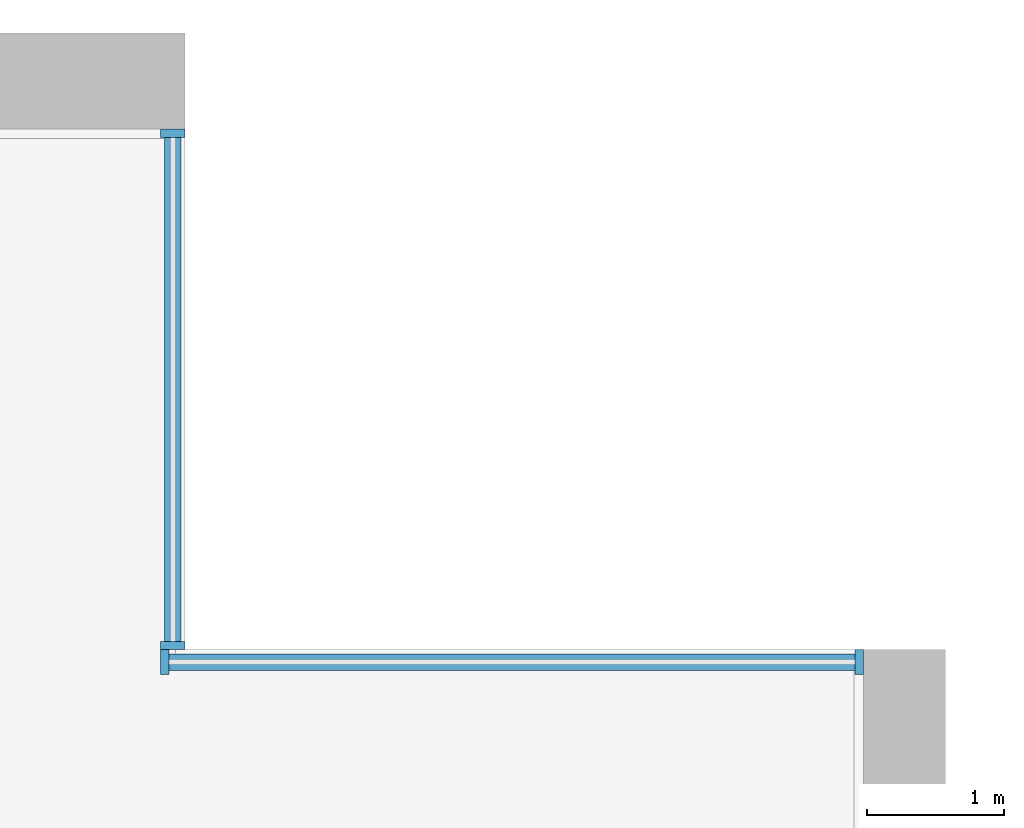
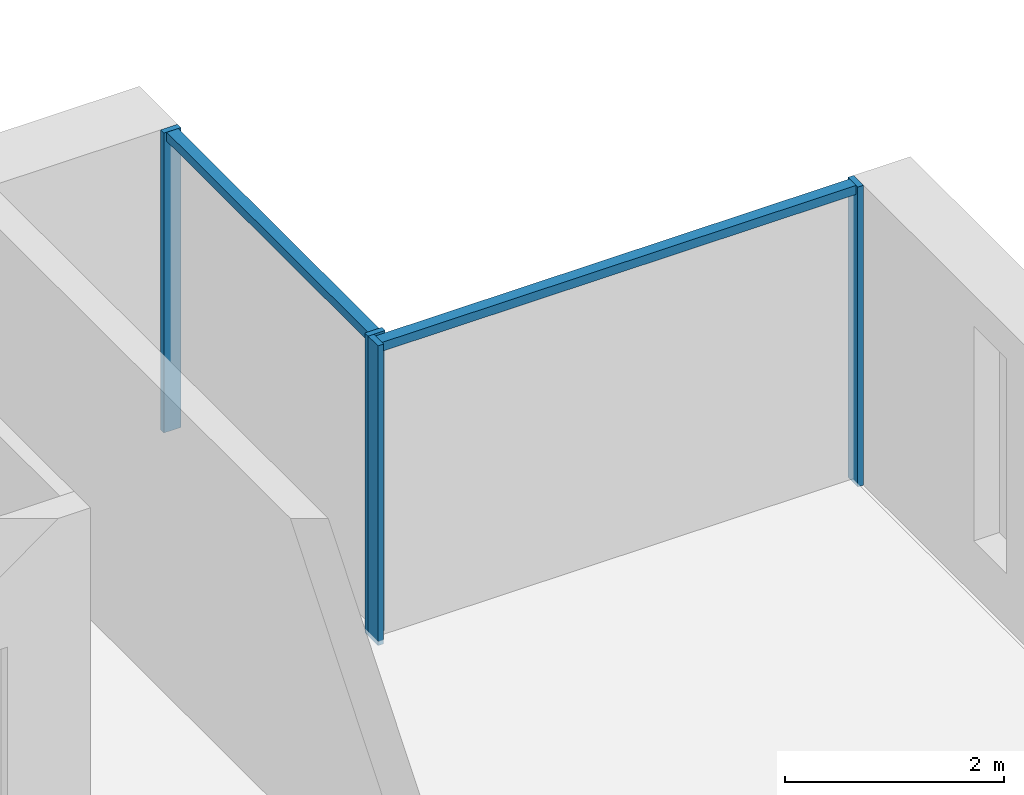
# One storey, part 6 of 19: 6 members, 2 elements without a shape of their own.
"""IFC4 building model written with IfcOpenShell, lengths in metres."""

from ifc_helpers import new_model, si_unit, direction, frame, origin, origin_2d, place, context, subcontext, project, spatial, rectangle, extrude, material, material_profile, profile_set, type_object, element, aggregate, save


model = new_model("IFC4")

# Units and contexts
model_context = context("Model", 3, precision=1e-05, world=origin(), true_north=direction((0.0, 1.0)))
body_context = subcontext(model_context, "Body", "Model", "MODEL_VIEW")
ifc_project = project(units=[si_unit("LENGTHUNIT", "METRE"), si_unit("AREAUNIT", "SQUARE_METRE"), si_unit("VOLUMEUNIT", "CUBIC_METRE"), si_unit("PLANEANGLEUNIT", "RADIAN"), si_unit("MASSUNIT", "GRAM", prefix="KILO")], contexts=[model_context])

# Site, building, storey
site_placement = place(None, origin())
site = spatial("IfcSite", under=ifc_project, at=site_placement, CompositionType="ELEMENT")
building_placement = place(site_placement, origin())
building = spatial("IfcBuilding", under=site, at=building_placement, Name="Calvaro Tower", CompositionType="ELEMENT")
storey_placement = place(building_placement, frame((0.0, 0.0, 166.75)))
storey = spatial("IfcBuildingStorey", under=building, at=storey_placement, Name="L41", CompositionType="ELEMENT", Elevation=166.75)

# Curtain wall, members
ifc_material_1 = material(Name="Anodised aluminium", Category="aluminium")
curtain_wall_type = type_object("IfcCurtainWallType", Name="Office curtain wall, upper zone", PredefinedType="NOTDEFINED", material=ifc_material_1)
curtain_wall_1_placement = place(storey_placement, origin())
curtain_wall_1 = element("IfcCurtainWall", 1, at=curtain_wall_1_placement, inside=storey, type_object=curtain_wall_type, Name="CW3 corner curtain wall", PredefinedType="NOTDEFINED")
ifc_material_2 = material(Name="Anodised aluminium", Category="aluminium")
ifc_material_profile_1 = material_profile(ifc_material_2, rectangle(XDim=0.179931640625, YDim=0.06005859375, at=origin_2d()), Name="Mullion S3 60 x 180")
ifc_profile_set_1 = profile_set([ifc_material_profile_1], Name="Anodised aluminium")
member_type_1 = type_object("IfcMemberType", Name="Mullion S3 60 x 180", PredefinedType="MULLION", material=ifc_profile_set_1)
member_1_placement = place(storey_placement, frame((66.360107421875, 41.530029296875, 0.0), z_axis=(0.0, 0.0, 1.0), x_axis=(-1.0, 0.0, 0.0)))
member_1 = element("IfcMember", 2, at=member_1_placement, type_object=member_type_1, Name="CW3 mullion 1", PredefinedType="MULLION", context=body_context, shape_type="SweptSolid", body=[
    extrude(rectangle(XDim=0.179931640625, YDim=0.06005859375, at=origin_2d()), origin(), (0.0, 0.0, 1.0), 3.35009765625),
])
member_2_placement = place(storey_placement, frame((66.360107421875, 45.27001953125, 0.0), z_axis=(0.0, 0.0, 1.0), x_axis=(-1.0, 0.0, 0.0)))
member_2 = element("IfcMember", 3, at=member_2_placement, type_object=member_type_1, Name="CW3 mullion 2", PredefinedType="MULLION", context=body_context, shape_type="SweptSolid", body=[
    extrude(rectangle(XDim=0.179931640625, YDim=0.06005859375, at=origin_2d()), origin(), (0.0, 0.0, 1.0), 3.35009765625),
])

curtain_wall_2_placement = place(storey_placement, origin())
curtain_wall_2 = element("IfcCurtainWall", 4, at=curtain_wall_2_placement, inside=storey, type_object=curtain_wall_type, Name="CW3 corner curtain wall", PredefinedType="NOTDEFINED")
member_3_placement = place(storey_placement, frame((66.300048828125, 41.409912109375, 0.0), z_axis=(0.0, 0.0, 1.0), x_axis=(0.0, 1.0, 0.0)))
member_3 = element("IfcMember", 5, at=member_3_placement, type_object=member_type_1, Name="CW3 mullion 1", PredefinedType="MULLION", context=body_context, shape_type="SweptSolid", body=[
    extrude(rectangle(XDim=0.179931640625, YDim=0.06005859375, at=origin_2d()), origin(), (0.0, 0.0, 1.0), 3.35009765625),
])
member_4_placement = place(storey_placement, frame((71.3701171875, 41.409912109375, 0.0), z_axis=(0.0, 0.0, 1.0), x_axis=(0.0, 1.0, 0.0)))
member_4 = element("IfcMember", 6, at=member_4_placement, type_object=member_type_1, Name="CW3 mullion 2", PredefinedType="MULLION", context=body_context, shape_type="SweptSolid", body=[
    extrude(rectangle(XDim=0.179931640625, YDim=0.06005859375, at=origin_2d()), origin(), (0.0, 0.0, 1.0), 3.35009765625),
])

# Member
ifc_material_3 = material(Name="Anodised aluminium", Category="aluminium")
ifc_material_profile_2 = material_profile(ifc_material_3, rectangle(XDim=0.1201171875, YDim=0.10009765625, at=origin_2d()), Name="Transom S3 100 x 120")
ifc_profile_set_2 = profile_set([ifc_material_profile_2], Name="Anodised aluminium")
member_type_2 = type_object("IfcMemberType", Name="Transom S3 100 x 120", PredefinedType="USERDEFINED", material=ifc_profile_set_2)
member_5_placement = place(storey_placement, frame((66.360107421875, 41.56005859375, 3.300048828125), z_axis=(0.0, 1.0, 0.0), x_axis=(-1.0, 0.0, 0.0)))
member_5 = element("IfcMember", 7, at=member_5_placement, type_object=member_type_2, Name="CW3 transom 1.1", ObjectType="TRANSOM", PredefinedType="USERDEFINED", context=body_context, shape_type="SweptSolid", body=[
    extrude(rectangle(XDim=0.1201171875, YDim=0.10009765625, at=origin_2d()), origin(), (0.0, 0.0, 1.0), 3.679931640625),
])

aggregate(curtain_wall_1, [member_1, member_2, member_5])

member_6_placement = place(storey_placement, frame((66.330078125, 41.409912109375, 3.300048828125), z_axis=(1.0, 0.0, 0.0), x_axis=(0.0, 1.0, 0.0)))
member_6 = element("IfcMember", 8, at=member_6_placement, type_object=member_type_2, Name="CW3 transom 1.1", ObjectType="TRANSOM", PredefinedType="USERDEFINED", context=body_context, shape_type="SweptSolid", body=[
    extrude(rectangle(XDim=0.1201171875, YDim=0.10009765625, at=origin_2d()), origin(), (0.0, 0.0, 1.0), 5.010009765625),
])

aggregate(curtain_wall_2, [member_3, member_4, member_6])

save(model, "model.ifc")
